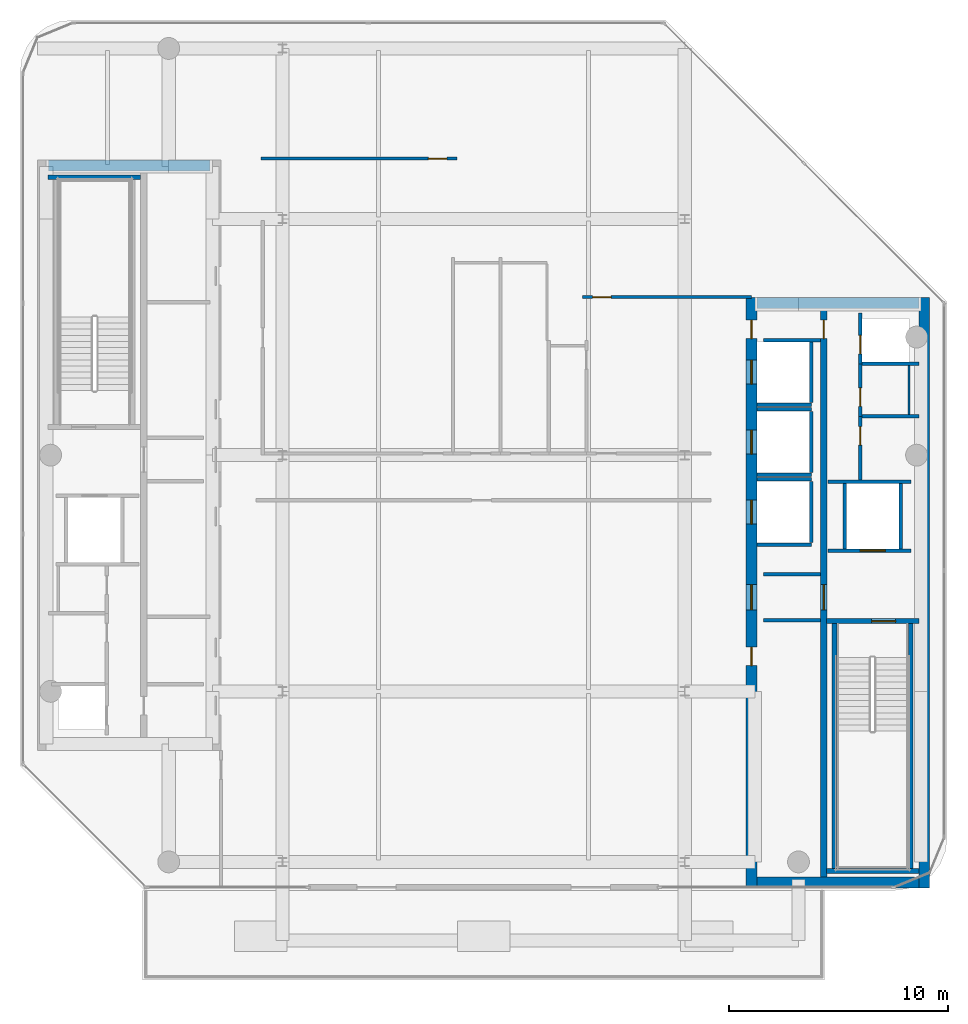
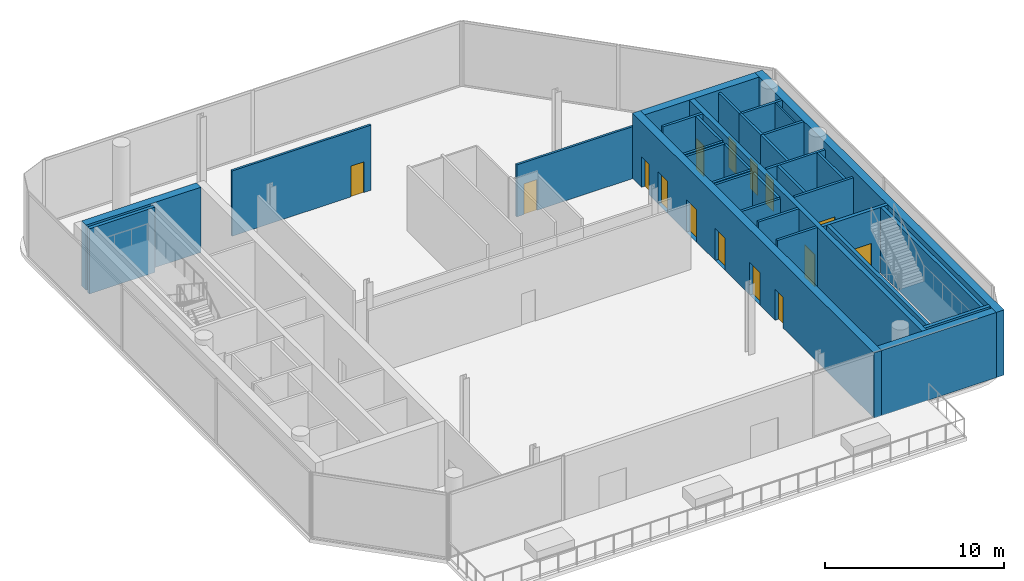
# One storey, part 5 of 14: 34 walls, 15 doors, 15 openings.
"""IFC4 building model written with IfcOpenShell, lengths in metres."""

from ifc_helpers import new_model, si_unit, direction, frame, frame_2d, origin, place, context, subcontext, project, spatial, rectangle, extrude, material, layer, layer_set, type_object, element, fill, save


model = new_model("IFC4")

# Units and contexts
model_context = context("Model", 3, precision=1e-05, world=origin(), true_north=direction((0.0, 1.0)))
body_context = subcontext(model_context, "Body", "Model", "MODEL_VIEW")
ifc_project = project(units=[si_unit("LENGTHUNIT", "METRE"), si_unit("AREAUNIT", "SQUARE_METRE"), si_unit("VOLUMEUNIT", "CUBIC_METRE"), si_unit("PLANEANGLEUNIT", "RADIAN"), si_unit("MASSUNIT", "GRAM", prefix="KILO")], contexts=[model_context])

# Site, building, storey
site_placement = place(None, origin())
site = spatial("IfcSite", under=ifc_project, at=site_placement, CompositionType="ELEMENT")
building_placement = place(site_placement, origin())
building = spatial("IfcBuilding", under=site, at=building_placement, Name="Khairoan Windgate Tower", CompositionType="ELEMENT")
storey_placement = place(building_placement, frame((0.0, 0.0, 320.39990234375)))
storey = spatial("IfcBuildingStorey", under=building, at=storey_placement, Name="L77", CompositionType="ELEMENT", Elevation=320.39990234375)

# Walls
ifc_material_1 = material(Name="Moisture-Resistant Gypsum Partition", Category="gypsum")
ifc_layer_1 = layer(ifc_material_1, 0.10009765625, Name="Moisture-Resistant Gypsum Partition")
ifc_layer_set_1 = layer_set([ifc_layer_1], Name="Moisture-Resistant Gypsum Partition")
wall_type_1 = type_object("IfcWallType", Name="Bathroom Wet-Area Partition Wall", PredefinedType="PARTITIONING", material=ifc_layer_set_1)
wall_1_placement = place(storey_placement, frame((19.449951171875, 4.090087890625, 0.0), z_axis=(0.0, 0.0, 1.0), x_axis=(0.0, -1.0, 0.0)))
element("IfcWall", 1, at=wall_1_placement, inside=storey, type_object=wall_type_1, Name="L77 Wet Room Side Wall 028", PredefinedType="PARTITIONING", context=body_context, shape_type="SweptSolid", body=[
    extrude(rectangle(XDim=2.239990234375, YDim=0.10009765625, at=frame_2d((1.1201171875, 0.0))), origin(), (0.0, 0.0, 1.0), 4.4501953125),
])
ifc_material_2 = material(Name="Concrete C40/50", Category="concrete")
ifc_layer_2 = layer(ifc_material_2, 0.159912109375, Name="Concrete C40/50")
ifc_layer_set_2 = layer_set([ifc_layer_2], Name="Concrete C40/50")
wall_type_2 = type_object("IfcWallType", Name="Core and Hoistway Enclosure Wall", PredefinedType="STANDARD", material=ifc_layer_set_2)
wall_2_placement = place(storey_placement, frame((12.5, 2.31005859375, 0.0), z_axis=(0.0, 0.0, 1.0), x_axis=(1.0, 0.0, 0.0)))
element("IfcWall", 2, at=wall_2_placement, inside=storey, type_object=wall_type_2, Name="L77 Lift PL7 Hoistway Divider S", PredefinedType="STANDARD", context=body_context, shape_type="SweptSolid", body=[
    extrude(rectangle(XDim=2.489990234375, YDim=0.159912109375, at=frame_2d((1.2451171875, 0.0))), origin(), (0.0, 0.0, 1.0), 4.4501953125),
])
wall_3_placement = place(storey_placement, frame((14.989990234375, 2.39990234375, 0.0), z_axis=(0.0, 0.0, 1.0), x_axis=(0.0, 1.0, 0.0)))
element("IfcWall", 3, at=wall_3_placement, inside=storey, type_object=wall_type_2, Name="L77 Lift PL7 Hoistway Back Wall", PredefinedType="STANDARD", context=body_context, shape_type="SweptSolid", body=[
    extrude(rectangle(XDim=2.800048828125, YDim=0.159912109375, at=frame_2d((1.39990234375, 0.0))), origin(), (0.0, 0.0, 1.0), 4.4501953125),
])
for number, where, z_axis, x_axis, name in (
    (4, (12.5, -0.889892578125, 0.0), (0.0, 0.0, 1.0), (1.0, 0.0, 0.0), "L77 Lift PL8 Hoistway Divider S"),
    (5, (12.5, 2.090087890625, 0.0), (0.0, 0.0, 1.0), (1.0, 0.0, 0.0), "L77 Lift PL8 Hoistway Divider N"),
):
    element("IfcWall", number, at=place(storey_placement, frame(where, z_axis=z_axis, x_axis=x_axis)), inside=storey, type_object=wall_type_2, Name=name, PredefinedType="STANDARD", context=body_context, shape_type="SweptSolid", body=[
        extrude(rectangle(XDim=2.489990234375, YDim=0.159912109375, at=frame_2d((1.2451171875, 0.0))), origin(), (0.0, 0.0, 1.0), 4.4501953125),
    ])
wall_4_placement = place(storey_placement, frame((14.989990234375, -0.800048828125, 0.0), z_axis=(0.0, 0.0, 1.0), x_axis=(0.0, 1.0, 0.0)))
element("IfcWall", 6, at=wall_4_placement, inside=storey, type_object=wall_type_2, Name="L77 Lift PL8 Hoistway Back Wall", PredefinedType="STANDARD", context=body_context, shape_type="SweptSolid", body=[
    extrude(rectangle(XDim=2.800048828125, YDim=0.159912109375, at=frame_2d((1.39990234375, 0.0))), origin(), (0.0, 0.0, 1.0), 4.4501953125),
])
for number, where, z_axis, x_axis, name in (
    (7, (12.5, -4.090087890625, 0.0), (0.0, 0.0, 1.0), (1.0, 0.0, 0.0), "L77 Lift PL9 Hoistway Divider S"),
    (8, (12.5, -1.110107421875, 0.0), (0.0, 0.0, 1.0), (1.0, 0.0, 0.0), "L77 Lift PL9 Hoistway Divider N"),
):
    element("IfcWall", number, at=place(storey_placement, frame(where, z_axis=z_axis, x_axis=x_axis)), inside=storey, type_object=wall_type_2, Name=name, PredefinedType="STANDARD", context=body_context, shape_type="SweptSolid", body=[
        extrude(rectangle(XDim=2.489990234375, YDim=0.159912109375, at=frame_2d((1.2451171875, 0.0))), origin(), (0.0, 0.0, 1.0), 4.4501953125),
    ])
wall_5_placement = place(storey_placement, frame((14.989990234375, -4.0, 0.0), z_axis=(0.0, 0.0, 1.0), x_axis=(0.0, 1.0, 0.0)))
element("IfcWall", 9, at=wall_5_placement, inside=storey, type_object=wall_type_2, Name="L77 Lift PL9 Hoistway Back Wall", PredefinedType="STANDARD", context=body_context, shape_type="SweptSolid", body=[
    extrude(rectangle(XDim=2.800048828125, YDim=0.159912109375, at=frame_2d((1.39990234375, 0.0))), origin(), (0.0, 0.0, 1.0), 4.4501953125),
])

# Wall, opening, door
wall_6_placement = place(storey_placement, frame((15.75, -4.360107421875, 0.0), z_axis=(0.0, 0.0, 1.0), x_axis=(1.0, 0.0, 0.0)))
wall_6 = element("IfcWall", 10, at=wall_6_placement, inside=storey, type_object=wall_type_2, Name="L77 Core Shaft Wall SW-FL1-L77", PredefinedType="STANDARD", context=body_context, shape_type="SweptSolid", body=[
    extrude(rectangle(XDim=3.800048828125, YDim=0.159912109375, at=frame_2d((1.89990234375, 0.0))), origin(), (0.0, 0.0, 1.0), 4.4501953125),
])
opening_1_placement = place(wall_6_placement, frame((1.469970703125, 0.0, 0.0)))
opening_1 = element("IfcOpeningElement", 11, at=opening_1_placement, cuts=wall_6, Name="Opening LD-FL", PredefinedType="OPENING", context=body_context, shape_type="SweptSolid", body=[
    extrude(rectangle(XDim=1.14990234375, YDim=2.199951171875, at=frame_2d((0.574951171875, 1.10009765625))), frame((0.0, 0.08984375, 0.0), z_axis=(0.0, -1.0, 0.0), x_axis=(1.0, 0.0, 0.0)), (0.0, 0.0, 1.0), 0.179931640625),
])
ifc_material_3 = material(Name="Steel S355", Category="steel")
door_type_1 = type_object("IfcDoorType", Name="Firefighting Lift Sliding Landing Door LD-FL 1150x2200", OperationType="DOUBLE_DOOR_SLIDING", PredefinedType="DOOR", material=ifc_material_3)
door_1_placement = place(opening_1_placement, origin())
door_1 = element("IfcDoor", 12, at=door_1_placement, inside=storey, type_object=door_type_1, Name="L77 Firefighting Lift FL1 Landing Door", OperationType="DOUBLE_DOOR_SLIDING", OverallHeight=2.199951171875, OverallWidth=1.14990234375, PredefinedType="DOOR", context=body_context, shape_type="SweptSolid", body=[
    extrude(rectangle(XDim=1.14990234375, YDim=2.199951171875, at=frame_2d((0.574951171875, 1.10009765625))), frame((0.0, 0.02490234375, 0.0), z_axis=(0.0, -1.0, 0.0), x_axis=(1.0, 0.0, 0.0)), (0.0, 0.0, 1.0), 0.050048828125),
])
fill(opening_1, door_1)

# Walls
wall_7_placement = place(storey_placement, frame((15.75, -1.219970703125, 0.0), z_axis=(0.0, 0.0, 1.0), x_axis=(1.0, 0.0, 0.0)))
element("IfcWall", 13, at=wall_7_placement, inside=storey, type_object=wall_type_2, Name="L77 Core Shaft Wall SW-FL1T-L77", PredefinedType="STANDARD", context=body_context, shape_type="SweptSolid", body=[
    extrude(rectangle(XDim=3.800048828125, YDim=0.159912109375, at=frame_2d((1.89990234375, 0.0))), origin(), (0.0, 0.0, 1.0), 4.4501953125),
])
for number, where, z_axis, x_axis, name in (
    (14, (16.52001953125, -4.280029296875, 0.0), (0.0, 0.0, 1.0), (0.0, 1.0, 0.0), "L77 Core Shaft Wall SW-FL1W-L77"),
    (15, (19.080078125, -4.280029296875, 0.0), (0.0, 0.0, 1.0), (0.0, 1.0, 0.0), "L77 Core Shaft Wall SW-FL1E-L77"),
):
    element("IfcWall", number, at=place(storey_placement, frame(where, z_axis=z_axis, x_axis=x_axis)), inside=storey, type_object=wall_type_2, Name=name, PredefinedType="STANDARD", context=body_context, shape_type="SweptSolid", body=[
        extrude(rectangle(XDim=2.97998046875, YDim=0.159912109375, at=frame_2d((1.489990234375, 0.0))), origin(), (0.0, 0.0, 1.0), 4.4501953125),
    ])
for number, where, z_axis, x_axis, name in (
    (16, (12.800048828125, -5.449951171875, 0.0), (0.0, 0.0, 1.0), (1.0, 0.0, 0.0), "L77 Core Shaft Wall SW-EV1-L77"),
    (17, (12.800048828125, -7.5400390625, 0.0), (0.0, 0.0, 1.0), (1.0, 0.0, 0.0), "L77 Core Shaft Wall SW-EV2-L77"),
    (18, (12.800048828125, 5.25, 0.0), (0.0, 0.0, 1.0), (1.0, 0.0, 0.0), "L77 Core Shaft Wall SW-ESV-L77"),
):
    element("IfcWall", number, at=place(storey_placement, frame(where, z_axis=z_axis, x_axis=x_axis)), inside=storey, type_object=wall_type_2, Name=name, PredefinedType="STANDARD", context=body_context, shape_type="SweptSolid", body=[
        extrude(rectangle(XDim=2.599853515625, YDim=0.159912109375, at=frame_2d((1.2998046875, 0.0))), origin(), (0.0, 0.0, 1.0), 4.4501953125),
    ])

# Wall, opening, door
ifc_material_4 = material(Name="Acoustic Fire-Rated Gypsum Partition", Category="gypsum")
ifc_layer_3 = layer(ifc_material_4, 0.139892578125, Name="Acoustic Fire-Rated Gypsum Partition")
ifc_layer_set_3 = layer_set([ifc_layer_3], Name="Acoustic Fire-Rated Gypsum Partition")
wall_type_3 = type_object("IfcWallType", Name="Inter-Tenancy Compartment Wall", PredefinedType="PARTITIONING", material=ifc_layer_set_3)
wall_8_placement = place(storey_placement, frame((-10.18994140625, 13.56005859375, 0.0), z_axis=(0.0, 0.0, 1.0), x_axis=(1.0, 0.0, 0.0)))
wall_8 = element("IfcWall", 19, at=wall_8_placement, inside=storey, type_object=wall_type_3, Name="L77 Interior Partition 021", PredefinedType="PARTITIONING", context=body_context, shape_type="SweptSolid", body=[
    extrude(rectangle(XDim=8.969970703125, YDim=0.139892578125, at=frame_2d((4.48486328125, 0.0))), origin(), (0.0, 0.0, 1.0), 4.4501953125),
])
opening_2_placement = place(wall_8_placement, frame((7.659912109375, 0.0, 0.0)))
opening_2 = element("IfcOpeningElement", 20, at=opening_2_placement, cuts=wall_8, Name="Opening FD-SRV", PredefinedType="OPENING", context=body_context, shape_type="SweptSolid", body=[
    extrude(rectangle(XDim=0.85009765625, YDim=2.10009765625, at=frame_2d((0.425048828125, 1.050048828125))), frame((0.0, 0.079833984375, 0.0), z_axis=(0.0, -1.0, 0.0), x_axis=(1.0, 0.0, 0.0)), (0.0, 0.0, 1.0), 0.159912109375),
])
ifc_material_5 = material(Name="Steel S355", Category="steel")
door_type_2 = type_object("IfcDoorType", Name="Core Service and Riser Fire Door FD-SRV 850x2100", OperationType="NOTDEFINED", PredefinedType="DOOR", material=ifc_material_5)
door_2_placement = place(opening_2_placement, origin())
door_2 = element("IfcDoor", 21, at=door_2_placement, inside=storey, type_object=door_type_2, Name="L77 L77-31-L77-32 Door", OperationType="SINGLE_SWING_RIGHT", OverallHeight=2.10009765625, OverallWidth=0.85009765625, PredefinedType="DOOR", context=body_context, shape_type="SweptSolid", body=[
    extrude(rectangle(XDim=0.85009765625, YDim=2.10009765625, at=frame_2d((0.425048828125, 1.050048828125))), frame((0.0, 0.02490234375, 0.0), z_axis=(0.0, -1.0, 0.0), x_axis=(1.0, 0.0, 0.0)), (0.0, 0.0, 1.0), 0.050048828125),
])
fill(opening_2, door_2)

wall_9_placement = place(storey_placement, frame((4.52001953125, 7.22998046875, 0.0), z_axis=(0.0, 0.0, 1.0), x_axis=(1.0, 0.0, 0.0)))
wall_9 = element("IfcWall", 22, at=wall_9_placement, inside=storey, type_object=wall_type_3, Name="L77 Interior Partition 023", PredefinedType="PARTITIONING", context=body_context, shape_type="SweptSolid", body=[
    extrude(rectangle(XDim=7.719970703125, YDim=0.139892578125, at=frame_2d((3.85986328125, 0.0))), origin(), (0.0, 0.0, 1.0), 3.550048828125),
])
opening_3_placement = place(wall_9_placement, frame((0.4599609375, 0.0, 0.0)))
opening_3 = element("IfcOpeningElement", 23, at=opening_3_placement, cuts=wall_9, Name="Opening FD-SRV", PredefinedType="OPENING", context=body_context, shape_type="SweptSolid", body=[
    extrude(rectangle(XDim=0.85009765625, YDim=2.10009765625, at=frame_2d((0.425048828125, 1.050048828125))), frame((0.0, 0.079833984375, 0.0), z_axis=(0.0, -1.0, 0.0), x_axis=(1.0, 0.0, 0.0)), (0.0, 0.0, 1.0), 0.159912109375),
])
door_3_placement = place(opening_3_placement, origin())
door_3 = element("IfcDoor", 24, at=door_3_placement, inside=storey, type_object=door_type_2, Name="L77 L77-33-L77-34 Door", OperationType="SINGLE_SWING_LEFT", OverallHeight=2.10009765625, OverallWidth=0.85009765625, PredefinedType="DOOR", context=body_context, shape_type="SweptSolid", body=[
    extrude(rectangle(XDim=0.85009765625, YDim=2.10009765625, at=frame_2d((0.425048828125, 1.050048828125))), frame((0.0, 0.02490234375, 0.0), z_axis=(0.0, -1.0, 0.0), x_axis=(1.0, 0.0, 0.0)), (0.0, 0.0, 1.0), 0.050048828125),
])
fill(opening_3, door_3)

ifc_material_6 = material(Name="Concrete C40/50", Category="concrete")
ifc_layer_4 = layer(ifc_material_6, 0.159912109375, Name="Concrete C40/50")
ifc_layer_set_4 = layer_set([ifc_layer_4], Name="Concrete C40/50")
wall_type_4 = type_object("IfcWallType", Name="Plant and Refuge Compartment Wall", PredefinedType="PARTITIONING", material=ifc_layer_set_4)
wall_10_placement = place(storey_placement, frame((17.22998046875, 4.169921875, 0.0), z_axis=(0.0, 0.0, 1.0), x_axis=(0.0, 1.0, 0.0)))
wall_10 = element("IfcWall", 25, at=wall_10_placement, inside=storey, type_object=wall_type_4, Name="L77 Interior Partition 008", PredefinedType="PARTITIONING", context=body_context, shape_type="SweptSolid", body=[
    extrude(rectangle(XDim=2.320068359375, YDim=0.159912109375, at=frame_2d((1.16015625, 0.0))), origin(), (0.0, 0.0, 1.0), 4.4501953125),
])
opening_4_placement = place(wall_10_placement, frame((0.4599609375, 0.0, 0.0)))
opening_4 = element("IfcOpeningElement", 26, at=opening_4_placement, cuts=wall_10, Name="Opening FD-SRV", PredefinedType="OPENING", context=body_context, shape_type="SweptSolid", body=[
    extrude(rectangle(XDim=0.85009765625, YDim=2.10009765625, at=frame_2d((0.425048828125, 1.050048828125))), frame((0.0, 0.08984375, 0.0), z_axis=(0.0, -1.0, 0.0), x_axis=(1.0, 0.0, 0.0)), (0.0, 0.0, 1.0), 0.179931640625),
])
door_4_placement = place(opening_4_placement, origin())
door_4 = element("IfcDoor", 27, at=door_4_placement, inside=storey, type_object=door_type_2, Name="L77 L77-17-L77-18 Door", OperationType="SINGLE_SWING_RIGHT", OverallHeight=2.10009765625, OverallWidth=0.85009765625, PredefinedType="DOOR", context=body_context, shape_type="SweptSolid", body=[
    extrude(rectangle(XDim=0.85009765625, YDim=2.10009765625, at=frame_2d((0.425048828125, 1.050048828125))), frame((0.0, 0.02490234375, 0.0), z_axis=(0.0, -1.0, 0.0), x_axis=(1.0, 0.0, 0.0)), (0.0, 0.0, 1.0), 0.050048828125),
])
fill(opening_4, door_4)

wall_11_placement = place(storey_placement, frame((17.22998046875, 1.77001953125, 0.0), z_axis=(0.0, 0.0, 1.0), x_axis=(0.0, 1.0, 0.0)))
wall_11 = element("IfcWall", 28, at=wall_11_placement, inside=storey, type_object=wall_type_4, Name="L77 Interior Partition 009", PredefinedType="PARTITIONING", context=body_context, shape_type="SweptSolid", body=[
    extrude(rectangle(XDim=2.39990234375, YDim=0.159912109375, at=frame_2d((1.199951171875, 0.0))), origin(), (0.0, 0.0, 1.0), 4.4501953125),
])
opening_5_placement = place(wall_11_placement, frame((0.4599609375, 0.0, 0.0)))
opening_5 = element("IfcOpeningElement", 29, at=opening_5_placement, cuts=wall_11, Name="Opening FD-SRV", PredefinedType="OPENING", context=body_context, shape_type="SweptSolid", body=[
    extrude(rectangle(XDim=0.85009765625, YDim=2.10009765625, at=frame_2d((0.425048828125, 1.050048828125))), frame((0.0, 0.08984375, 0.0), z_axis=(0.0, -1.0, 0.0), x_axis=(1.0, 0.0, 0.0)), (0.0, 0.0, 1.0), 0.179931640625),
])
door_5_placement = place(opening_5_placement, origin())
door_5 = element("IfcDoor", 30, at=door_5_placement, inside=storey, type_object=door_type_2, Name="L77 L77-17-L77-19 Door", OperationType="SINGLE_SWING_LEFT", OverallHeight=2.10009765625, OverallWidth=0.85009765625, PredefinedType="DOOR", context=body_context, shape_type="SweptSolid", body=[
    extrude(rectangle(XDim=0.85009765625, YDim=2.10009765625, at=frame_2d((0.425048828125, 1.050048828125))), frame((0.0, 0.02490234375, 0.0), z_axis=(0.0, -1.0, 0.0), x_axis=(1.0, 0.0, 0.0)), (0.0, 0.0, 1.0), 0.050048828125),
])
fill(opening_5, door_5)

wall_12_placement = place(storey_placement, frame((17.22998046875, -1.139892578125, 0.0), z_axis=(0.0, 0.0, 1.0), x_axis=(0.0, 1.0, 0.0)))
wall_12 = element("IfcWall", 31, at=wall_12_placement, inside=storey, type_object=wall_type_4, Name="L77 Interior Partition 010", PredefinedType="PARTITIONING", context=body_context, shape_type="SweptSolid", body=[
    extrude(rectangle(XDim=2.909912109375, YDim=0.159912109375, at=frame_2d((1.455078125, 0.0))), origin(), (0.0, 0.0, 1.0), 4.4501953125),
])
opening_6_placement = place(wall_12_placement, frame((1.60009765625, 0.0, 0.0)))
opening_6 = element("IfcOpeningElement", 32, at=opening_6_placement, cuts=wall_12, Name="Opening FD-SRV", PredefinedType="OPENING", context=body_context, shape_type="SweptSolid", body=[
    extrude(rectangle(XDim=0.85009765625, YDim=2.10009765625, at=frame_2d((0.425048828125, 1.050048828125))), frame((0.0, 0.08984375, 0.0), z_axis=(0.0, -1.0, 0.0), x_axis=(1.0, 0.0, 0.0)), (0.0, 0.0, 1.0), 0.179931640625),
])
door_6_placement = place(opening_6_placement, origin())
door_6 = element("IfcDoor", 33, at=door_6_placement, inside=storey, type_object=door_type_2, Name="L77 L77-17-L77-20 Door", OperationType="SINGLE_SWING_RIGHT", OverallHeight=2.10009765625, OverallWidth=0.85009765625, PredefinedType="DOOR", context=body_context, shape_type="SweptSolid", body=[
    extrude(rectangle(XDim=0.85009765625, YDim=2.10009765625, at=frame_2d((0.425048828125, 1.050048828125))), frame((0.0, 0.02490234375, 0.0), z_axis=(0.0, -1.0, 0.0), x_axis=(1.0, 0.0, 0.0)), (0.0, 0.0, 1.0), 0.050048828125),
])
fill(opening_6, door_6)

# Walls
for number, where, z_axis, x_axis, name in (
    (34, (17.31005859375, 4.169921875, 0.0), (0.0, 0.0, 1.0), (1.0, 0.0, 0.0), "L77 Interior Partition 011"),
    (35, (17.31005859375, 1.77001953125, 0.0), (0.0, 0.0, 1.0), (1.0, 0.0, 0.0), "L77 Interior Partition 012"),
):
    element("IfcWall", number, at=place(storey_placement, frame(where, z_axis=z_axis, x_axis=x_axis)), inside=storey, type_object=wall_type_4, Name=name, PredefinedType="PARTITIONING", context=body_context, shape_type="SweptSolid", body=[
        extrude(rectangle(XDim=2.58984375, YDim=0.159912109375, at=frame_2d((1.294921875, 0.0))), origin(), (0.0, 0.0, 1.0), 4.4501953125),
    ])

# Wall, openings, doors
ifc_material_7 = material(Name="Concrete C50/60", Category="concrete")
ifc_layer_5 = layer(ifc_material_7, 0.5, Name="Concrete C50/60")
ifc_layer_set_5 = layer_set([ifc_layer_5], Name="Concrete C50/60")
wall_type_5 = type_object("IfcWallType", Name="Shear Wall CW-E3 500mm", PredefinedType="SHEAR", material=ifc_layer_set_5)
wall_13_placement = place(storey_placement, frame((12.25, -19.800048828125, 0.0), z_axis=(0.0, 0.0, 1.0), x_axis=(0.0, 1.0, 0.0)))
wall_13 = element("IfcWall", 36, at=wall_13_placement, inside=storey, type_object=wall_type_5, Name="E Core West Shear Wall L77", PredefinedType="SHEAR", context=body_context, shape_type="SweptSolid", body=[
    extrude(rectangle(XDim=27.0, YDim=0.5, at=frame_2d((13.5, 0.0))), origin(), (0.0, 0.0, 1.0), 4.4501953125),
])
opening_7_placement = place(wall_13_placement, frame((23.050048828125, 0.0, 0.0)))
opening_7 = element("IfcOpeningElement", 37, at=opening_7_placement, cuts=wall_13, Name="Opening LD-PL", PredefinedType="OPENING", context=body_context, shape_type="SweptSolid", body=[
    extrude(rectangle(XDim=1.10009765625, YDim=2.199951171875, at=frame_2d((0.550048828125, 1.10009765625))), frame((0.0, 0.260009765625, 0.0), z_axis=(0.0, -1.0, 0.0), x_axis=(1.0, 0.0, 0.0)), (0.0, 0.0, 1.0), 0.52001953125),
])
opening_8_placement = place(wall_13_placement, frame((19.85009765625, 0.0, 0.0)))
opening_8 = element("IfcOpeningElement", 38, at=opening_8_placement, cuts=wall_13, Name="Opening LD-PL", PredefinedType="OPENING", context=body_context, shape_type="SweptSolid", body=[
    extrude(rectangle(XDim=1.10009765625, YDim=2.199951171875, at=frame_2d((0.550048828125, 1.10009765625))), frame((0.0, 0.260009765625, 0.0), z_axis=(0.0, -1.0, 0.0), x_axis=(1.0, 0.0, 0.0)), (0.0, 0.0, 1.0), 0.52001953125),
])
opening_9_placement = place(wall_13_placement, frame((16.64990234375, 0.0, 0.0)))
opening_9 = element("IfcOpeningElement", 39, at=opening_9_placement, cuts=wall_13, Name="Opening LD-PL", PredefinedType="OPENING", context=body_context, shape_type="SweptSolid", body=[
    extrude(rectangle(XDim=1.10009765625, YDim=2.199951171875, at=frame_2d((0.550048828125, 1.10009765625))), frame((0.0, 0.260009765625, 0.0), z_axis=(0.0, -1.0, 0.0), x_axis=(1.0, 0.0, 0.0)), (0.0, 0.0, 1.0), 0.52001953125),
])
opening_10_placement = place(wall_13_placement, frame((10.175048828125, 0.0, 0.0)))
opening_10 = element("IfcOpeningElement", 40, at=opening_10_placement, cuts=wall_13, Name="Opening FD-SRV", PredefinedType="OPENING", context=body_context, shape_type="SweptSolid", body=[
    extrude(rectangle(XDim=0.85009765625, YDim=2.10009765625, at=frame_2d((0.425048828125, 1.050048828125))), frame((0.0, 0.260009765625, 0.0), z_axis=(0.0, -1.0, 0.0), x_axis=(1.0, 0.0, 0.0)), (0.0, 0.0, 1.0), 0.52001953125),
])
opening_11_placement = place(wall_13_placement, frame((12.72509765625, 0.0, 0.0)))
opening_11 = element("IfcOpeningElement", 41, at=opening_11_placement, cuts=wall_13, Name="Opening FD-FFL", PredefinedType="OPENING", context=body_context, shape_type="SweptSolid", body=[
    extrude(rectangle(XDim=1.14990234375, YDim=2.199951171875, at=frame_2d((0.574951171875, 1.10009765625))), frame((0.0, 0.260009765625, 0.0), z_axis=(0.0, -1.0, 0.0), x_axis=(1.0, 0.0, 0.0)), (0.0, 0.0, 1.0), 0.52001953125),
])
opening_12_placement = place(wall_13_placement, frame((25.125, 0.0, 0.0)))
opening_12 = element("IfcOpeningElement", 42, at=opening_12_placement, cuts=wall_13, Name="Opening FD-SRV", PredefinedType="OPENING", context=body_context, shape_type="SweptSolid", body=[
    extrude(rectangle(XDim=0.85009765625, YDim=2.10009765625, at=frame_2d((0.425048828125, 1.050048828125))), frame((0.0, 0.260009765625, 0.0), z_axis=(0.0, -1.0, 0.0), x_axis=(1.0, 0.0, 0.0)), (0.0, 0.0, 1.0), 0.52001953125),
])
door_7_placement = place(opening_10_placement, origin())
door_7 = element("IfcDoor", 43, at=door_7_placement, inside=storey, type_object=door_type_2, Name="L77 East Core Service Room Door 1", OperationType="SINGLE_SWING_RIGHT", OverallHeight=2.10009765625, OverallWidth=0.85009765625, PredefinedType="DOOR", context=body_context, shape_type="SweptSolid", body=[
    extrude(rectangle(XDim=0.85009765625, YDim=2.10009765625, at=frame_2d((0.425048828125, 1.050048828125))), frame((0.0, 0.02490234375, 0.0), z_axis=(0.0, -1.0, 0.0), x_axis=(1.0, 0.0, 0.0)), (0.0, 0.0, 1.0), 0.050048828125),
])
fill(opening_10, door_7)
door_8_placement = place(opening_12_placement, origin())
door_8 = element("IfcDoor", 44, at=door_8_placement, inside=storey, type_object=door_type_2, Name="L77 East Core Service Vestibule Outer Door", OperationType="SINGLE_SWING_LEFT", OverallHeight=2.10009765625, OverallWidth=0.85009765625, PredefinedType="DOOR", context=body_context, shape_type="SweptSolid", body=[
    extrude(rectangle(XDim=0.85009765625, YDim=2.10009765625, at=frame_2d((0.425048828125, 1.050048828125))), frame((0.0, 0.02490234375, 0.0), z_axis=(0.0, -1.0, 0.0), x_axis=(1.0, 0.0, 0.0)), (0.0, 0.0, 1.0), 0.050048828125),
])
fill(opening_12, door_8)
ifc_material_8 = material(Name="Steel S355", Category="steel")
door_type_3 = type_object("IfcDoorType", Name="Firefighting Lobby Fire Door FD-FFL 1150x2200", OperationType="NOTDEFINED", PredefinedType="DOOR", material=ifc_material_8)
door_9_placement = place(opening_11_placement, origin())
door_9 = element("IfcDoor", 45, at=door_9_placement, inside=storey, type_object=door_type_3, Name="L77 East Core Vestibule Entry Door", OperationType="SINGLE_SWING_LEFT", OverallHeight=2.199951171875, OverallWidth=1.14990234375, PredefinedType="DOOR", context=body_context, shape_type="SweptSolid", body=[
    extrude(rectangle(XDim=1.14990234375, YDim=2.199951171875, at=frame_2d((0.574951171875, 1.10009765625))), frame((0.0, 0.02490234375, 0.0), z_axis=(0.0, -1.0, 0.0), x_axis=(1.0, 0.0, 0.0)), (0.0, 0.0, 1.0), 0.050048828125),
])
fill(opening_11, door_9)
ifc_material_9 = material(Name="Anodised Bronze Aluminium 6063-T6", Category="aluminium")
door_type_4 = type_object("IfcDoorType", Name="Passenger Lift Sliding Landing Door LD-PL 1100x2200", OperationType="DOUBLE_DOOR_SLIDING", PredefinedType="DOOR", material=ifc_material_9)
door_10_placement = place(opening_7_placement, origin())
door_10 = element("IfcDoor", 46, at=door_10_placement, inside=storey, type_object=door_type_4, Name="L77 Lift PL7 Sliding Landing Door", OperationType="DOUBLE_DOOR_SLIDING", OverallHeight=2.199951171875, OverallWidth=1.10009765625, PredefinedType="DOOR", context=body_context, shape_type="SweptSolid", body=[
    extrude(rectangle(XDim=1.10009765625, YDim=2.199951171875, at=frame_2d((0.550048828125, 1.10009765625))), frame((0.0, 0.02490234375, 0.0), z_axis=(0.0, -1.0, 0.0), x_axis=(1.0, 0.0, 0.0)), (0.0, 0.0, 1.0), 0.050048828125),
])
fill(opening_7, door_10)
door_11_placement = place(opening_8_placement, origin())
door_11 = element("IfcDoor", 47, at=door_11_placement, inside=storey, type_object=door_type_4, Name="L77 Lift PL8 Sliding Landing Door", OperationType="DOUBLE_DOOR_SLIDING", OverallHeight=2.199951171875, OverallWidth=1.10009765625, PredefinedType="DOOR", context=body_context, shape_type="SweptSolid", body=[
    extrude(rectangle(XDim=1.10009765625, YDim=2.199951171875, at=frame_2d((0.550048828125, 1.10009765625))), frame((0.0, 0.02490234375, 0.0), z_axis=(0.0, -1.0, 0.0), x_axis=(1.0, 0.0, 0.0)), (0.0, 0.0, 1.0), 0.050048828125),
])
fill(opening_8, door_11)
door_12_placement = place(opening_9_placement, origin())
door_12 = element("IfcDoor", 48, at=door_12_placement, inside=storey, type_object=door_type_4, Name="L77 Lift PL9 Sliding Landing Door", OperationType="DOUBLE_DOOR_SLIDING", OverallHeight=2.199951171875, OverallWidth=1.10009765625, PredefinedType="DOOR", context=body_context, shape_type="SweptSolid", body=[
    extrude(rectangle(XDim=1.10009765625, YDim=2.199951171875, at=frame_2d((0.550048828125, 1.10009765625))), frame((0.0, 0.02490234375, 0.0), z_axis=(0.0, -1.0, 0.0), x_axis=(1.0, 0.0, 0.0)), (0.0, 0.0, 1.0), 0.050048828125),
])
fill(opening_9, door_12)

# Walls
wall_14_placement = place(storey_placement, frame((20.14990234375, -19.800048828125, 0.0), z_axis=(0.0, 0.0, 1.0), x_axis=(0.0, 1.0, 0.0)))
element("IfcWall", 49, at=wall_14_placement, inside=storey, type_object=wall_type_5, Name="E Core East Shear Wall L77", PredefinedType="SHEAR", context=body_context, shape_type="SweptSolid", body=[
    extrude(rectangle(XDim=27.0, YDim=0.5, at=frame_2d((13.5, 0.0))), origin(), (0.0, 0.0, 1.0), 4.4501953125),
])
for number, where, z_axis, x_axis, name in (
    (50, (12.5, -19.550048828125, 0.0), (0.0, 0.0, 1.0), (1.0, 0.0, 0.0), "E Core South Shear Wall L77"),
    (51, (12.5, 6.949951171875, 0.0), (0.0, 0.0, 1.0), (1.0, 0.0, 0.0), "E Core North Shear Wall L77"),
):
    element("IfcWall", number, at=place(storey_placement, frame(where, z_axis=z_axis, x_axis=x_axis)), inside=storey, type_object=wall_type_5, Name=name, PredefinedType="SHEAR", context=body_context, shape_type="SweptSolid", body=[
        extrude(rectangle(XDim=7.39990234375, YDim=0.5, at=frame_2d((3.699951171875, 0.0))), origin(), (0.0, 0.0, 1.0), 4.4501953125),
    ])
ifc_material_10 = material(Name="Concrete C50/60", Category="concrete")
ifc_layer_6 = layer(ifc_material_10, 0.5, Name="Concrete C50/60")
ifc_layer_set_6 = layer_set([ifc_layer_6], Name="Concrete C50/60")
wall_type_6 = type_object("IfcWallType", Name="Shear Wall CW-W3 500mm", PredefinedType="SHEAR", material=ifc_layer_set_6)
wall_15_placement = place(storey_placement, frame((-19.89990234375, 13.25, 0.0), z_axis=(0.0, 0.0, 1.0), x_axis=(1.0, 0.0, 0.0)))
element("IfcWall", 52, at=wall_15_placement, inside=storey, type_object=wall_type_6, Name="W Core North Shear Wall L77", PredefinedType="SHEAR", context=body_context, shape_type="SweptSolid", body=[
    extrude(rectangle(XDim=7.39990234375, YDim=0.5, at=frame_2d((3.699951171875, 0.0))), origin(), (0.0, 0.0, 1.0), 4.4501953125),
])

# Wall, openings, doors
ifc_material_11 = material(Name="Concrete C50/60", Category="concrete")
ifc_layer_7 = layer(ifc_material_11, 0.300048828125, Name="Concrete C50/60")
ifc_layer_set_7 = layer_set([ifc_layer_7], Name="Concrete C50/60")
wall_type_7 = type_object("IfcWallType", Name="Shear Wall SW-2 300mm", PredefinedType="SHEAR", material=ifc_layer_set_7)
wall_16_placement = place(storey_placement, frame((15.550048828125, -19.300048828125, 0.0), z_axis=(0.0, 0.0, 1.0), x_axis=(0.0, 1.0, 0.0)))
wall_16 = element("IfcWall", 53, at=wall_16_placement, inside=storey, type_object=wall_type_7, Name="E Core Spine Shear Wall L77", PredefinedType="SHEAR", context=body_context, shape_type="SweptSolid", body=[
    extrude(rectangle(XDim=26.0, YDim=0.300048828125, at=frame_2d((13.0, 0.0))), origin(), (0.0, 0.0, 1.0), 4.4501953125),
])
opening_13_placement = place(wall_16_placement, frame((12.22509765625, 0.0, 0.0)))
opening_13 = element("IfcOpeningElement", 54, at=opening_13_placement, cuts=wall_16, Name="Opening FD-FFL", PredefinedType="OPENING", context=body_context, shape_type="SweptSolid", body=[
    extrude(rectangle(XDim=1.14990234375, YDim=2.199951171875, at=frame_2d((0.574951171875, 1.10009765625))), frame((0.0, 0.159912109375, 0.0), z_axis=(0.0, -1.0, 0.0), x_axis=(1.0, 0.0, 0.0)), (0.0, 0.0, 1.0), 0.320068359375),
])
opening_14_placement = place(wall_16_placement, frame((24.625, 0.0, 0.0)))
opening_14 = element("IfcOpeningElement", 55, at=opening_14_placement, cuts=wall_16, Name="Opening FD-SRV", PredefinedType="OPENING", context=body_context, shape_type="SweptSolid", body=[
    extrude(rectangle(XDim=0.85009765625, YDim=2.10009765625, at=frame_2d((0.425048828125, 1.050048828125))), frame((0.0, 0.159912109375, 0.0), z_axis=(0.0, -1.0, 0.0), x_axis=(1.0, 0.0, 0.0)), (0.0, 0.0, 1.0), 0.320068359375),
])
door_13_placement = place(opening_14_placement, origin())
door_13 = element("IfcDoor", 56, at=door_13_placement, inside=storey, type_object=door_type_2, Name="L77 East Core Service Passage Inner Door", OperationType="SINGLE_SWING_RIGHT", OverallHeight=2.10009765625, OverallWidth=0.85009765625, PredefinedType="DOOR", context=body_context, shape_type="SweptSolid", body=[
    extrude(rectangle(XDim=0.85009765625, YDim=2.10009765625, at=frame_2d((0.425048828125, 1.050048828125))), frame((0.0, 0.02490234375, 0.0), z_axis=(0.0, -1.0, 0.0), x_axis=(1.0, 0.0, 0.0)), (0.0, 0.0, 1.0), 0.050048828125),
])
fill(opening_14, door_13)
door_14_placement = place(opening_13_placement, origin())
door_14 = element("IfcDoor", 57, at=door_14_placement, inside=storey, type_object=door_type_3, Name="L77 East Firefighting Lobby Fire Door", OperationType="SINGLE_SWING_RIGHT", OverallHeight=2.199951171875, OverallWidth=1.14990234375, PredefinedType="DOOR", context=body_context, shape_type="SweptSolid", body=[
    extrude(rectangle(XDim=1.14990234375, YDim=2.199951171875, at=frame_2d((0.574951171875, 1.10009765625))), frame((0.0, 0.02490234375, 0.0), z_axis=(0.0, -1.0, 0.0), x_axis=(1.0, 0.0, 0.0)), (0.0, 0.0, 1.0), 0.050048828125),
])
fill(opening_13, door_14)

# Walls
ifc_material_12 = material(Name="Concrete C50/60", Category="concrete")
ifc_layer_8 = layer(ifc_material_12, 0.219970703125, Name="Concrete C50/60")
ifc_layer_set_8 = layer_set([ifc_layer_8], Name="Concrete C50/60")
wall_type_8 = type_object("IfcWallType", Name="Shear Wall SW-ST 220mm", PredefinedType="SHEAR", material=ifc_layer_set_8)
for number, where, z_axis, x_axis, name in (
    (58, (16.0400390625, -19.010009765625, 0.0), (0.0, 0.0, 1.0), (0.0, 1.0, 0.0), "L77 Stair ST1 West Bearing Wall"),
    (59, (19.530029296875, -19.010009765625, 0.0), (0.0, 0.0, 1.0), (0.0, 1.0, 0.0), "L77 Stair ST1 East Bearing Wall"),
):
    element("IfcWall", number, at=place(storey_placement, frame(where, z_axis=z_axis, x_axis=x_axis)), inside=storey, type_object=wall_type_8, Name=name, PredefinedType="SHEAR", context=body_context, shape_type="SweptSolid", body=[
        extrude(rectangle(XDim=11.419921875, YDim=0.219970703125, at=frame_2d((5.7099609375, 0.0))), origin(), (0.0, 0.0, 1.0), 4.4501953125),
    ])
wall_17_placement = place(storey_placement, frame((15.679931640625, -19.010009765625, 0.0), z_axis=(0.0, 0.0, 1.0), x_axis=(1.0, 0.0, 0.0)))
element("IfcWall", 60, at=wall_17_placement, inside=storey, type_object=wall_type_8, Name="L77 Stair ST1 South Bearing Wall", PredefinedType="SHEAR", context=body_context, shape_type="SweptSolid", body=[
    extrude(rectangle(XDim=4.239990234375, YDim=0.219970703125, at=frame_2d((2.1201171875, 0.0))), origin(), (0.0, 0.0, 1.0), 4.4501953125),
])

# Wall, opening, door
wall_18_placement = place(storey_placement, frame((19.919921875, -7.590087890625, 0.0), z_axis=(0.0, 0.0, 1.0), x_axis=(-1.0, 0.0, 0.0)))
wall_18 = element("IfcWall", 61, at=wall_18_placement, inside=storey, type_object=wall_type_8, Name="L77 Stair ST1 North Bearing Wall", PredefinedType="SHEAR", context=body_context, shape_type="SweptSolid", body=[
    extrude(rectangle(XDim=4.239990234375, YDim=0.219970703125, at=frame_2d((2.1201171875, 0.0))), origin(), (0.0, 0.0, 1.0), 4.4501953125),
])
opening_15_placement = place(wall_18_placement, frame((1.080078125, 0.0, 0.0)))
opening_15 = element("IfcOpeningElement", 62, at=opening_15_placement, cuts=wall_18, Name="Opening FD-ST", PredefinedType="OPENING", context=body_context, shape_type="SweptSolid", body=[
    extrude(rectangle(XDim=1.10009765625, YDim=2.199951171875, at=frame_2d((0.550048828125, 1.10009765625))), frame((0.0, 0.119873046875, 0.0), z_axis=(0.0, -1.0, 0.0), x_axis=(1.0, 0.0, 0.0)), (0.0, 0.0, 1.0), 0.239990234375),
])
ifc_material_13 = material(Name="Steel S355", Category="steel")
door_type_5 = type_object("IfcDoorType", Name="Smokeproof Stair Fire Door FD-ST 1100x2200", OperationType="NOTDEFINED", PredefinedType="DOOR", material=ifc_material_13)
door_15_placement = place(opening_15_placement, origin())
door_15 = element("IfcDoor", 63, at=door_15_placement, inside=storey, type_object=door_type_5, Name="L77 Stair ST1 Fire Door", OperationType="SINGLE_SWING_RIGHT", OverallHeight=2.199951171875, OverallWidth=1.10009765625, PredefinedType="DOOR", context=body_context, shape_type="SweptSolid", body=[
    extrude(rectangle(XDim=1.10009765625, YDim=2.199951171875, at=frame_2d((0.550048828125, 1.10009765625))), frame((0.0, 0.02490234375, 0.0), z_axis=(0.0, -1.0, 0.0), x_axis=(1.0, 0.0, 0.0)), (0.0, 0.0, 1.0), 0.050048828125),
])
fill(opening_15, door_15)

# Wall
wall_19_placement = place(storey_placement, frame((-19.919921875, 12.7099609375, 0.0), z_axis=(0.0, 0.0, 1.0), x_axis=(1.0, 0.0, 0.0)))
element("IfcWall", 64, at=wall_19_placement, inside=storey, type_object=wall_type_8, Name="L77 Stair ST2 North Bearing Wall", PredefinedType="SHEAR", context=body_context, shape_type="SweptSolid", body=[
    extrude(rectangle(XDim=4.239990234375, YDim=0.219970703125, at=frame_2d((2.1201171875, 0.0))), origin(), (0.0, 0.0, 1.0), 4.4501953125),
])

save(model, "model.ifc")
